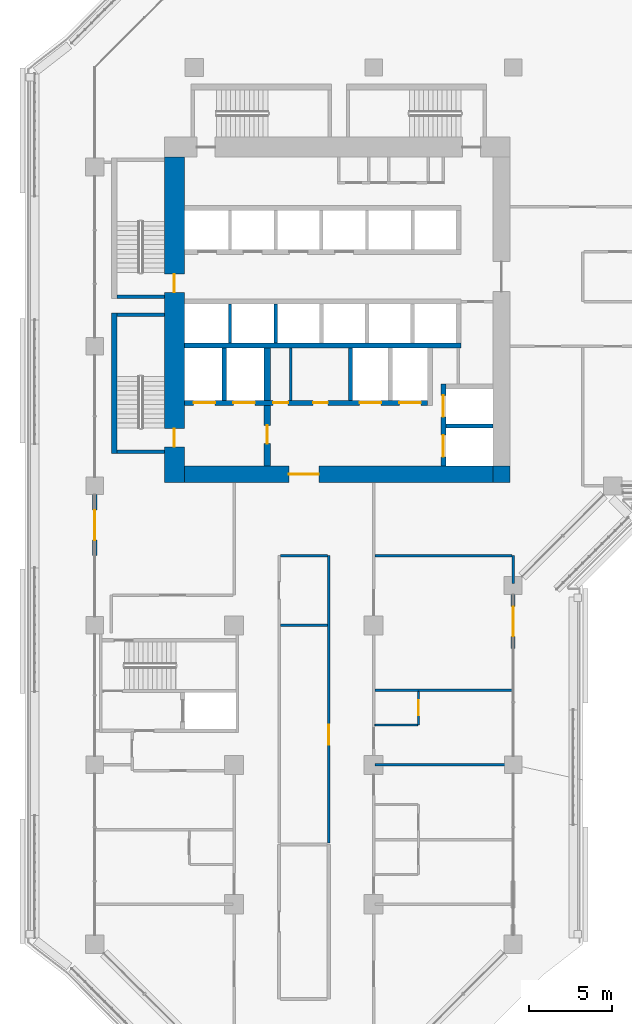
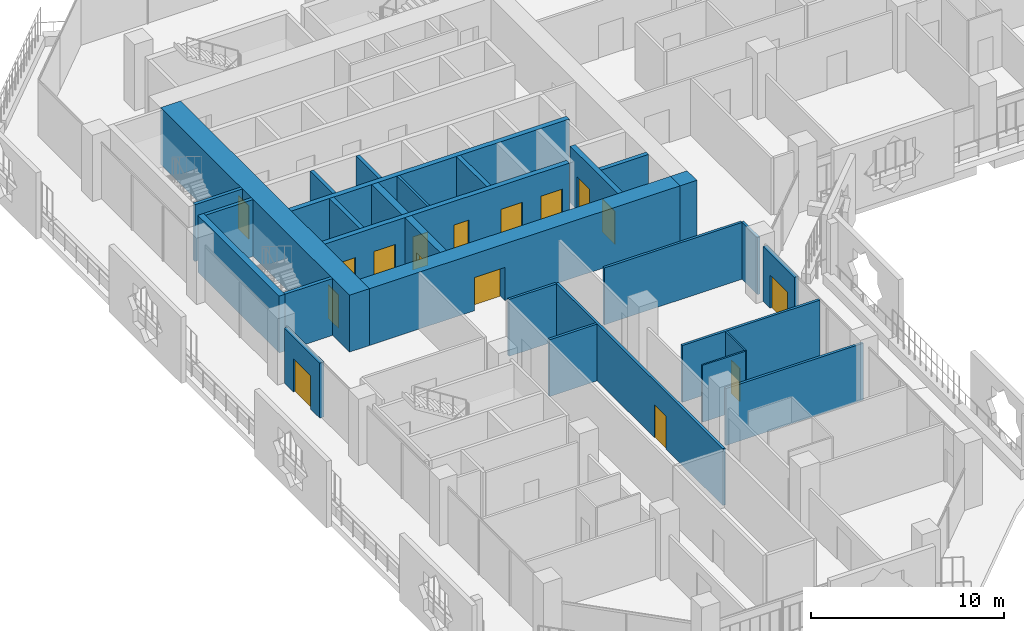
# One storey, part 13 of 25: 29 walls, 16 doors, 16 openings.
"""IFC4 building model written with IfcOpenShell, lengths in metres."""

from ifc_helpers import new_model, si_unit, direction, frame, frame_2d, origin, place, context, subcontext, project, spatial, rectangle, extrude, material, layer, layer_set, type_object, element, fill, save


model = new_model("IFC4")

# Units and contexts
model_context = context("Model", 3, precision=1e-05, world=origin(), true_north=direction((0.0, 1.0)))
body_context = subcontext(model_context, "Body", "Model", "MODEL_VIEW")
ifc_project = project(units=[si_unit("LENGTHUNIT", "METRE"), si_unit("AREAUNIT", "SQUARE_METRE"), si_unit("VOLUMEUNIT", "CUBIC_METRE"), si_unit("PLANEANGLEUNIT", "RADIAN"), si_unit("MASSUNIT", "GRAM", prefix="KILO")], contexts=[model_context])

# Site, building, storey
site_placement = place(None, origin())
site = spatial("IfcSite", under=ifc_project, at=site_placement, CompositionType="ELEMENT")
building_placement = place(site_placement, origin())
building = spatial("IfcBuilding", under=site, at=building_placement, Name="Kawkab Arch Medical Tower", CompositionType="ELEMENT")
storey_placement = place(building_placement, frame((0.0, 0.0, 128.199951171875)))
storey = spatial("IfcBuildingStorey", under=building, at=storey_placement, Name="L29", CompositionType="ELEMENT", Elevation=128.199951171875)

# Wall, opening, door
ifc_material_1 = material(Name="Concrete C60/75", Category="concrete")
ifc_layer_1 = layer(ifc_material_1, 1.0)
ifc_layer_set_1 = layer_set([ifc_layer_1], Name="Concrete C60/75")
wall_type_1 = type_object("IfcWallType", Name="Core ring wall 1000 C60/75", PredefinedType="SHEAR", material=ifc_layer_set_1)
wall_1_placement = place(storey_placement, frame((5.39990234375, -24.5, 0.0), z_axis=(0.0, 0.0, 1.0), x_axis=(1.0, 0.0, 0.0)))
wall_1 = element("IfcWall", 1, at=wall_1_placement, inside=storey, type_object=wall_type_1, Name="L29 core wall", PredefinedType="SHEAR", context=body_context, shape_type="SweptSolid", body=[
    extrude(rectangle(XDim=18.60009765625, YDim=1.0, at=frame_2d((9.300048828125, 0.0))), origin(), (0.0, 0.0, 1.0), 3.60009765625),
])
opening_1_placement = place(wall_1_placement, frame((6.300048828125, 0.0, 0.0)))
opening_1 = element("IfcOpeningElement", 2, at=opening_1_placement, cuts=wall_1, Name="Opening PD", PredefinedType="OPENING", context=body_context, shape_type="SweptSolid", body=[
    extrude(rectangle(XDim=1.800048828125, YDim=2.10009765625, at=frame_2d((0.89990234375, 1.050048828125))), frame((0.0, 0.510009765625, 0.0), z_axis=(0.0, -1.0, 0.0), x_axis=(1.0, 0.0, 0.0)), (0.0, 0.0, 1.0), 1.02001953125),
])
ifc_material_2 = material(Name="Hollow metal fire door leaf")
door_type_1 = type_object("IfcDoorType", Name="Core entrance doors 1800", OperationType="DOUBLE_DOOR_SINGLE_SWING", PredefinedType="DOOR", material=ifc_material_2)
door_1_placement = place(opening_1_placement, origin())
door_1 = element("IfcDoor", 3, at=door_1_placement, inside=storey, type_object=door_type_1, Name="L29 South entrance doors", OperationType="DOUBLE_DOOR_SINGLE_SWING", OverallHeight=2.10009765625, OverallWidth=1.800048828125, PredefinedType="DOOR", context=body_context, shape_type="SweptSolid", body=[
    extrude(rectangle(XDim=1.800048828125, YDim=2.10009765625, at=frame_2d((0.89990234375, 1.050048828125))), frame((0.0, 0.02490234375, 0.0), z_axis=(0.0, -1.0, 0.0), x_axis=(1.0, 0.0, 0.0)), (0.0, 0.0, 1.0), 0.050048828125),
])
fill(opening_1, door_1)

# Wall
wall_2_placement = place(storey_placement, frame((24.5, -25.0, 0.0), z_axis=(0.0, 0.0, 1.0), x_axis=(0.0, 1.0, 0.0)))
element("IfcWall", 4, at=wall_2_placement, inside=storey, type_object=wall_type_1, Name="L29 core wall", PredefinedType="SHEAR", context=body_context, shape_type="SweptSolid", body=[
    extrude(rectangle(XDim=1.0, YDim=1.0, at=frame_2d((0.5, 0.0))), origin(), (0.0, 0.0, 1.0), 3.60009765625),
])

# Wall, openings, doors
ifc_material_3 = material(Name="Concrete C60/75", Category="concrete")
ifc_layer_2 = layer(ifc_material_3, 1.199951171875)
ifc_layer_set_2 = layer_set([ifc_layer_2], Name="Concrete C60/75")
wall_type_2 = type_object("IfcWallType", Name="Core ring wall 1200 C60/75", PredefinedType="SHEAR", material=ifc_layer_set_2)
wall_3_placement = place(storey_placement, frame((4.800048828125, -25.0, 0.0), z_axis=(0.0, 0.0, 1.0), x_axis=(0.0, 1.0, 0.0)))
wall_3 = element("IfcWall", 5, at=wall_3_placement, inside=storey, type_object=wall_type_2, Name="L29 core wall", PredefinedType="SHEAR", context=body_context, shape_type="SweptSolid", body=[
    extrude(rectangle(XDim=19.60009765625, YDim=1.199951171875, at=frame_2d((9.800048828125, 0.0))), origin(), (0.0, 0.0, 1.0), 3.60009765625),
])
opening_2_placement = place(wall_3_placement, frame((11.449951171875, 0.0, 0.0)))
opening_2 = element("IfcOpeningElement", 6, at=opening_2_placement, cuts=wall_3, Name="Opening SD", PredefinedType="OPENING", context=body_context, shape_type="SweptSolid", body=[
    extrude(rectangle(XDim=1.10009765625, YDim=2.10009765625, at=frame_2d((0.550048828125, 1.050048828125))), frame((0.0, 0.60986328125, 0.0), z_axis=(0.0, -1.0, 0.0), x_axis=(1.0, 0.0, 0.0)), (0.0, 0.0, 1.0), 1.219970703125),
])
opening_3_placement = place(wall_3_placement, frame((2.14990234375, 0.0, 0.0)))
opening_3 = element("IfcOpeningElement", 7, at=opening_3_placement, cuts=wall_3, Name="Opening SD", PredefinedType="OPENING", context=body_context, shape_type="SweptSolid", body=[
    extrude(rectangle(XDim=1.10009765625, YDim=2.10009765625, at=frame_2d((0.550048828125, 1.050048828125))), frame((0.0, 0.60986328125, 0.0), z_axis=(0.0, -1.0, 0.0), x_axis=(1.0, 0.0, 0.0)), (0.0, 0.0, 1.0), 1.219970703125),
])
ifc_material_4 = material(Name="Hollow metal fire door leaf")
door_type_2 = type_object("IfcDoorType", Name="Exit stair door 1100", OperationType="SINGLE_SWING_LEFT", PredefinedType="DOOR", material=ifc_material_4)
door_2_placement = place(opening_2_placement, origin())
door_2 = element("IfcDoor", 8, at=door_2_placement, inside=storey, type_object=door_type_2, Name="L29 Exit stair ST1 door", OperationType="SINGLE_SWING_LEFT", OverallHeight=2.10009765625, OverallWidth=1.10009765625, PredefinedType="DOOR", context=body_context, shape_type="SweptSolid", body=[
    extrude(rectangle(XDim=1.10009765625, YDim=2.10009765625, at=frame_2d((0.550048828125, 1.050048828125))), frame((0.0, 0.02490234375, 0.0), z_axis=(0.0, -1.0, 0.0), x_axis=(1.0, 0.0, 0.0)), (0.0, 0.0, 1.0), 0.050048828125),
])
fill(opening_2, door_2)
door_3_placement = place(opening_3_placement, origin())
door_3 = element("IfcDoor", 9, at=door_3_placement, inside=storey, type_object=door_type_2, Name="L29 Exit stair ST2 door", OperationType="SINGLE_SWING_LEFT", OverallHeight=2.10009765625, OverallWidth=1.10009765625, PredefinedType="DOOR", context=body_context, shape_type="SweptSolid", body=[
    extrude(rectangle(XDim=1.10009765625, YDim=2.10009765625, at=frame_2d((0.550048828125, 1.050048828125))), frame((0.0, 0.02490234375, 0.0), z_axis=(0.0, -1.0, 0.0), x_axis=(1.0, 0.0, 0.0)), (0.0, 0.0, 1.0), 0.050048828125),
])
fill(opening_3, door_3)

# Walls
ifc_material_5 = material(Name="Gypsum board on steel studs", Category="steel")
ifc_layer_3 = layer(ifc_material_5, 0.14990234375)
ifc_layer_set_3 = layer_set([ifc_layer_3], Name="Gypsum board on steel studs")
wall_type_3 = type_object("IfcWallType", Name="Core room partition 150", PredefinedType="PARTITIONING", material=ifc_layer_set_3)
wall_4_placement = place(storey_placement, frame((11.800048828125, -20.050048828125, 0.0), z_axis=(0.0, 0.0, 1.0), x_axis=(0.0, 1.0, 0.0)))
element("IfcWall", 10, at=wall_4_placement, inside=storey, type_object=wall_type_3, Name="L29 core room partition", PredefinedType="PARTITIONING", context=body_context, shape_type="SweptSolid", body=[
    extrude(rectangle(XDim=3.150146484375, YDim=0.14990234375, at=frame_2d((1.5751953125, 0.0))), origin(), (0.0, 0.0, 1.0), 3.60009765625),
])
ifc_material_6 = material(Name="Concrete C60/75", Category="concrete")
ifc_layer_4 = layer(ifc_material_6, 0.25)
ifc_layer_set_4 = layer_set([ifc_layer_4], Name="Concrete C60/75")
wall_type_4 = type_object("IfcWallType", Name="Core shear wall 250 C60/75", PredefinedType="SHEAR", material=ifc_layer_set_4)
wall_5_placement = place(storey_placement, frame((21.14990234375, -21.60009765625, 0.0), z_axis=(0.0, 0.0, 1.0), x_axis=(1.0, 0.0, 0.0)))
element("IfcWall", 11, at=wall_5_placement, inside=storey, type_object=wall_type_4, Name="L29 core shear wall", PredefinedType="SHEAR", context=body_context, shape_type="SweptSolid", body=[
    extrude(rectangle(XDim=2.85009765625, YDim=0.25, at=frame_2d((1.425048828125, 0.0))), origin(), (0.0, 0.0, 1.0), 3.60009765625),
])
for number, where, z_axis, x_axis, name in (
    (12, (7.800048828125, -20.050048828125, 0.0), (0.0, 0.0, 1.0), (0.0, 1.0, 0.0), "L29 core shear wall"),
    (13, (15.39990234375, -20.050048828125, 0.0), (0.0, 0.0, 1.0), (0.0, 1.0, 0.0), "L29 core shear wall"),
):
    element("IfcWall", number, at=place(storey_placement, frame(where, z_axis=z_axis, x_axis=x_axis)), inside=storey, type_object=wall_type_4, Name=name, PredefinedType="SHEAR", context=body_context, shape_type="SweptSolid", body=[
        extrude(rectangle(XDim=3.150146484375, YDim=0.25, at=frame_2d((1.5751953125, 0.0))), origin(), (0.0, 0.0, 1.0), 3.60009765625),
    ])
ifc_material_7 = material(Name="Concrete C60/75", Category="concrete")
ifc_layer_5 = layer(ifc_material_7, 0.300048828125)
ifc_layer_set_5 = layer_set([ifc_layer_5], Name="Concrete C60/75")
wall_type_5 = type_object("IfcWallType", Name="Core shear wall 300 C60/75", PredefinedType="SHEAR", material=ifc_layer_set_5)
wall_6_placement = place(storey_placement, frame((5.39990234375, -16.75, 0.0), z_axis=(0.0, 0.0, 1.0), x_axis=(1.0, 0.0, 0.0)))
element("IfcWall", 14, at=wall_6_placement, inside=storey, type_object=wall_type_5, Name="L29 core shear wall", PredefinedType="SHEAR", context=body_context, shape_type="SweptSolid", body=[
    extrude(rectangle(XDim=16.650146484375, YDim=0.300048828125, at=frame_2d((8.3251953125, 0.0))), origin(), (0.0, 0.0, 1.0), 3.60009765625),
])

# Wall, openings, doors
wall_7_placement = place(storey_placement, frame((5.39990234375, -20.199951171875, 0.0), z_axis=(0.0, 0.0, 1.0), x_axis=(1.0, 0.0, 0.0)))
wall_7 = element("IfcWall", 15, at=wall_7_placement, inside=storey, type_object=wall_type_5, Name="L29 core shear wall", PredefinedType="SHEAR", context=body_context, shape_type="SweptSolid", body=[
    extrude(rectangle(XDim=14.650146484375, YDim=0.300048828125, at=frame_2d((7.3251953125, 0.0))), origin(), (0.0, 0.0, 1.0), 3.60009765625),
])
opening_4_placement = place(wall_7_placement, frame((10.550048828125, 0.0, 0.0)))
opening_4 = element("IfcOpeningElement", 16, at=opening_4_placement, cuts=wall_7, Name="Opening LD2", PredefinedType="OPENING", context=body_context, shape_type="SweptSolid", body=[
    extrude(rectangle(XDim=1.300048828125, YDim=2.10009765625, at=frame_2d((0.64990234375, 1.050048828125))), frame((0.0, 0.159912109375, 0.0), z_axis=(0.0, -1.0, 0.0), x_axis=(1.0, 0.0, 0.0)), (0.0, 0.0, 1.0), 0.320068359375),
])
opening_5_placement = place(wall_7_placement, frame((12.949951171875, 0.0, 0.0)))
opening_5 = element("IfcOpeningElement", 17, at=opening_5_placement, cuts=wall_7, Name="Opening LD2", PredefinedType="OPENING", context=body_context, shape_type="SweptSolid", body=[
    extrude(rectangle(XDim=1.300048828125, YDim=2.10009765625, at=frame_2d((0.64990234375, 1.050048828125))), frame((0.0, 0.159912109375, 0.0), z_axis=(0.0, -1.0, 0.0), x_axis=(1.0, 0.0, 0.0)), (0.0, 0.0, 1.0), 0.320068359375),
])
opening_6_placement = place(wall_7_placement, frame((0.550048828125, 0.0, 0.0)))
opening_6 = element("IfcOpeningElement", 18, at=opening_6_placement, cuts=wall_7, Name="Opening LD2", PredefinedType="OPENING", context=body_context, shape_type="SweptSolid", body=[
    extrude(rectangle(XDim=1.300048828125, YDim=2.10009765625, at=frame_2d((0.64990234375, 1.050048828125))), frame((0.0, 0.159912109375, 0.0), z_axis=(0.0, -1.0, 0.0), x_axis=(1.0, 0.0, 0.0)), (0.0, 0.0, 1.0), 0.320068359375),
])
opening_7_placement = place(wall_7_placement, frame((2.949951171875, 0.0, 0.0)))
opening_7 = element("IfcOpeningElement", 19, at=opening_7_placement, cuts=wall_7, Name="Opening LD2", PredefinedType="OPENING", context=body_context, shape_type="SweptSolid", body=[
    extrude(rectangle(XDim=1.300048828125, YDim=2.10009765625, at=frame_2d((0.64990234375, 1.050048828125))), frame((0.0, 0.159912109375, 0.0), z_axis=(0.0, -1.0, 0.0), x_axis=(1.0, 0.0, 0.0)), (0.0, 0.0, 1.0), 0.320068359375),
])
opening_8_placement = place(wall_7_placement, frame((5.35009765625, 0.0, 0.0)))
opening_8 = element("IfcOpeningElement", 20, at=opening_8_placement, cuts=wall_7, Name="Opening RD", PredefinedType="OPENING", context=body_context, shape_type="SweptSolid", body=[
    extrude(rectangle(XDim=0.89990234375, YDim=2.10009765625, at=frame_2d((0.449951171875, 1.050048828125))), frame((0.0, 0.159912109375, 0.0), z_axis=(0.0, -1.0, 0.0), x_axis=(1.0, 0.0, 0.0)), (0.0, 0.0, 1.0), 0.320068359375),
])
opening_9_placement = place(wall_7_placement, frame((7.75, 0.0, 0.0)))
opening_9 = element("IfcOpeningElement", 21, at=opening_9_placement, cuts=wall_7, Name="Opening RD", PredefinedType="OPENING", context=body_context, shape_type="SweptSolid", body=[
    extrude(rectangle(XDim=0.89990234375, YDim=2.10009765625, at=frame_2d((0.449951171875, 1.050048828125))), frame((0.0, 0.159912109375, 0.0), z_axis=(0.0, -1.0, 0.0), x_axis=(1.0, 0.0, 0.0)), (0.0, 0.0, 1.0), 0.320068359375),
])
ifc_material_8 = material(Name="Hollow metal fire door leaf")
door_type_3 = type_object("IfcDoorType", Name="Core room door 900", OperationType="SINGLE_SWING_LEFT", PredefinedType="DOOR", material=ifc_material_8)
door_4_placement = place(opening_8_placement, origin())
door_4 = element("IfcDoor", 22, at=door_4_placement, inside=storey, type_object=door_type_3, Name="L29 Linen store door", OperationType="SINGLE_SWING_LEFT", OverallHeight=2.10009765625, OverallWidth=0.89990234375, PredefinedType="DOOR", context=body_context, shape_type="SweptSolid", body=[
    extrude(rectangle(XDim=0.89990234375, YDim=2.10009765625, at=frame_2d((0.449951171875, 1.050048828125))), frame((0.0, 0.02490234375, 0.0), z_axis=(0.0, -1.0, 0.0), x_axis=(1.0, 0.0, 0.0)), (0.0, 0.0, 1.0), 0.050048828125),
])
fill(opening_8, door_4)
door_5_placement = place(opening_9_placement, origin())
door_5 = element("IfcDoor", 23, at=door_5_placement, inside=storey, type_object=door_type_3, Name="L29 Dirty utility room door", OperationType="SINGLE_SWING_LEFT", OverallHeight=2.10009765625, OverallWidth=0.89990234375, PredefinedType="DOOR", context=body_context, shape_type="SweptSolid", body=[
    extrude(rectangle(XDim=0.89990234375, YDim=2.10009765625, at=frame_2d((0.449951171875, 1.050048828125))), frame((0.0, 0.02490234375, 0.0), z_axis=(0.0, -1.0, 0.0), x_axis=(1.0, 0.0, 0.0)), (0.0, 0.0, 1.0), 0.050048828125),
])
fill(opening_9, door_5)
ifc_material_9 = material(Name="Stainless steel lift door leaf", Category="steel")
door_type_4 = type_object("IfcDoorType", Name="Lift landing door 1300", OperationType="DOUBLE_DOOR_SLIDING", PredefinedType="DOOR", material=ifc_material_9)
door_6_placement = place(opening_4_placement, origin())
door_6 = element("IfcDoor", 24, at=door_6_placement, inside=storey, type_object=door_type_4, Name="L29 Lift landing door BD3", OperationType="DOUBLE_DOOR_SLIDING", OverallHeight=2.10009765625, OverallWidth=1.300048828125, PredefinedType="DOOR", context=body_context, shape_type="SweptSolid", body=[
    extrude(rectangle(XDim=1.300048828125, YDim=2.10009765625, at=frame_2d((0.64990234375, 1.050048828125))), frame((0.0, 0.02490234375, 0.0), z_axis=(0.0, -1.0, 0.0), x_axis=(1.0, 0.0, 0.0)), (0.0, 0.0, 1.0), 0.050048828125),
])
fill(opening_4, door_6)
door_7_placement = place(opening_5_placement, origin())
door_7 = element("IfcDoor", 25, at=door_7_placement, inside=storey, type_object=door_type_4, Name="L29 Lift landing door BD4", OperationType="DOUBLE_DOOR_SLIDING", OverallHeight=2.10009765625, OverallWidth=1.300048828125, PredefinedType="DOOR", context=body_context, shape_type="SweptSolid", body=[
    extrude(rectangle(XDim=1.300048828125, YDim=2.10009765625, at=frame_2d((0.64990234375, 1.050048828125))), frame((0.0, 0.02490234375, 0.0), z_axis=(0.0, -1.0, 0.0), x_axis=(1.0, 0.0, 0.0)), (0.0, 0.0, 1.0), 0.050048828125),
])
fill(opening_5, door_7)
door_8_placement = place(opening_6_placement, origin())
door_8 = element("IfcDoor", 26, at=door_8_placement, inside=storey, type_object=door_type_4, Name="L29 Lift landing door FL1", OperationType="DOUBLE_DOOR_SLIDING", OverallHeight=2.10009765625, OverallWidth=1.300048828125, PredefinedType="DOOR", context=body_context, shape_type="SweptSolid", body=[
    extrude(rectangle(XDim=1.300048828125, YDim=2.10009765625, at=frame_2d((0.64990234375, 1.050048828125))), frame((0.0, 0.02490234375, 0.0), z_axis=(0.0, -1.0, 0.0), x_axis=(1.0, 0.0, 0.0)), (0.0, 0.0, 1.0), 0.050048828125),
])
fill(opening_6, door_8)
door_9_placement = place(opening_7_placement, origin())
door_9 = element("IfcDoor", 27, at=door_9_placement, inside=storey, type_object=door_type_4, Name="L29 Lift landing door FL2", OperationType="DOUBLE_DOOR_SLIDING", OverallHeight=2.10009765625, OverallWidth=1.300048828125, PredefinedType="DOOR", context=body_context, shape_type="SweptSolid", body=[
    extrude(rectangle(XDim=1.300048828125, YDim=2.10009765625, at=frame_2d((0.64990234375, 1.050048828125))), frame((0.0, 0.02490234375, 0.0), z_axis=(0.0, -1.0, 0.0), x_axis=(1.0, 0.0, 0.0)), (0.0, 0.0, 1.0), 0.050048828125),
])
fill(opening_7, door_9)

wall_8_placement = place(storey_placement, frame((21.0, -24.0, 0.0), z_axis=(0.0, 0.0, 1.0), x_axis=(0.0, 1.0, 0.0)))
wall_8 = element("IfcWall", 28, at=wall_8_placement, inside=storey, type_object=wall_type_5, Name="L29 core shear wall", PredefinedType="SHEAR", context=body_context, shape_type="SweptSolid", body=[
    extrude(rectangle(XDim=4.949951171875, YDim=0.300048828125, at=frame_2d((2.47509765625, 0.0))), origin(), (0.0, 0.0, 1.0), 3.60009765625),
])
opening_10_placement = place(wall_8_placement, frame((2.949951171875, 0.0, 0.0)))
opening_10 = element("IfcOpeningElement", 29, at=opening_10_placement, cuts=wall_8, Name="Opening LD2", PredefinedType="OPENING", context=body_context, shape_type="SweptSolid", body=[
    extrude(rectangle(XDim=1.300048828125, YDim=2.10009765625, at=frame_2d((0.64990234375, 1.050048828125))), frame((0.0, 0.159912109375, 0.0), z_axis=(0.0, -1.0, 0.0), x_axis=(1.0, 0.0, 0.0)), (0.0, 0.0, 1.0), 0.320068359375),
])
opening_11_placement = place(wall_8_placement, frame((0.550048828125, 0.0, 0.0)))
opening_11 = element("IfcOpeningElement", 30, at=opening_11_placement, cuts=wall_8, Name="Opening LD2", PredefinedType="OPENING", context=body_context, shape_type="SweptSolid", body=[
    extrude(rectangle(XDim=1.300048828125, YDim=2.10009765625, at=frame_2d((0.64990234375, 1.050048828125))), frame((0.0, 0.159912109375, 0.0), z_axis=(0.0, -1.0, 0.0), x_axis=(1.0, 0.0, 0.0)), (0.0, 0.0, 1.0), 0.320068359375),
])
door_10_placement = place(opening_10_placement, origin())
door_10 = element("IfcDoor", 31, at=door_10_placement, inside=storey, type_object=door_type_4, Name="L29 Lift landing door BD1", OperationType="DOUBLE_DOOR_SLIDING", OverallHeight=2.10009765625, OverallWidth=1.300048828125, PredefinedType="DOOR", context=body_context, shape_type="SweptSolid", body=[
    extrude(rectangle(XDim=1.300048828125, YDim=2.10009765625, at=frame_2d((0.64990234375, 1.050048828125))), frame((0.0, 0.02490234375, 0.0), z_axis=(0.0, -1.0, 0.0), x_axis=(1.0, 0.0, 0.0)), (0.0, 0.0, 1.0), 0.050048828125),
])
fill(opening_10, door_10)
door_11_placement = place(opening_11_placement, origin())
door_11 = element("IfcDoor", 32, at=door_11_placement, inside=storey, type_object=door_type_4, Name="L29 Lift landing door BD2", OperationType="DOUBLE_DOOR_SLIDING", OverallHeight=2.10009765625, OverallWidth=1.300048828125, PredefinedType="DOOR", context=body_context, shape_type="SweptSolid", body=[
    extrude(rectangle(XDim=1.300048828125, YDim=2.10009765625, at=frame_2d((0.64990234375, 1.050048828125))), frame((0.0, 0.02490234375, 0.0), z_axis=(0.0, -1.0, 0.0), x_axis=(1.0, 0.0, 0.0)), (0.0, 0.0, 1.0), 0.050048828125),
])
fill(opening_11, door_11)

# Wall, opening, door
ifc_material_10 = material(Name="Concrete C60/75", Category="concrete")
ifc_layer_6 = layer(ifc_material_10, 0.39990234375)
ifc_layer_set_6 = layer_set([ifc_layer_6], Name="Concrete C60/75")
wall_type_6 = type_object("IfcWallType", Name="Core shear wall 400 C60/75", PredefinedType="SHEAR", material=ifc_layer_set_6)
wall_9_placement = place(storey_placement, frame((10.39990234375, -24.0, 0.0), z_axis=(0.0, 0.0, 1.0), x_axis=(0.0, 1.0, 0.0)))
wall_9 = element("IfcWall", 33, at=wall_9_placement, inside=storey, type_object=wall_type_6, Name="L29 core shear wall", PredefinedType="SHEAR", context=body_context, shape_type="SweptSolid", body=[
    extrude(rectangle(XDim=3.64990234375, YDim=0.39990234375, at=frame_2d((1.824951171875, 0.0))), origin(), (0.0, 0.0, 1.0), 3.60009765625),
])
opening_12_placement = place(wall_9_placement, frame((1.35009765625, 0.0, 0.0)))
opening_12 = element("IfcOpeningElement", 34, at=opening_12_placement, cuts=wall_9, Name="Opening FD", PredefinedType="OPENING", context=body_context, shape_type="SweptSolid", body=[
    extrude(rectangle(XDim=1.10009765625, YDim=2.10009765625, at=frame_2d((0.550048828125, 1.050048828125))), frame((0.0, 0.2099609375, 0.0), z_axis=(0.0, -1.0, 0.0), x_axis=(1.0, 0.0, 0.0)), (0.0, 0.0, 1.0), 0.419921875),
])
ifc_material_11 = material(Name="Hollow metal fire door leaf")
door_type_5 = type_object("IfcDoorType", Name="Firefighting lobby door 1100", OperationType="SINGLE_SWING_LEFT", PredefinedType="DOOR", material=ifc_material_11)
door_12_placement = place(opening_12_placement, origin())
door_12 = element("IfcDoor", 35, at=door_12_placement, inside=storey, type_object=door_type_5, Name="L29 Firefighting lobby door", OperationType="SINGLE_SWING_LEFT", OverallHeight=2.10009765625, OverallWidth=1.10009765625, PredefinedType="DOOR", context=body_context, shape_type="SweptSolid", body=[
    extrude(rectangle(XDim=1.10009765625, YDim=2.10009765625, at=frame_2d((0.550048828125, 1.050048828125))), frame((0.0, 0.02490234375, 0.0), z_axis=(0.0, -1.0, 0.0), x_axis=(1.0, 0.0, 0.0)), (0.0, 0.0, 1.0), 0.050048828125),
])
fill(opening_12, door_12)

# Wall
wall_10_placement = place(storey_placement, frame((10.39990234375, -20.050048828125, 0.0), z_axis=(0.0, 0.0, 1.0), x_axis=(0.0, 1.0, 0.0)))
element("IfcWall", 36, at=wall_10_placement, inside=storey, type_object=wall_type_6, Name="L29 core shear wall", PredefinedType="SHEAR", context=body_context, shape_type="SweptSolid", body=[
    extrude(rectangle(XDim=3.150146484375, YDim=0.39990234375, at=frame_2d((1.5751953125, 0.0))), origin(), (0.0, 0.0, 1.0), 3.60009765625),
])

# Wall, opening, door
ifc_material_12 = material(Name="Bronze clad insulated wall panel")
ifc_layer_7 = layer(ifc_material_12, 0.25)
ifc_layer_set_7 = layer_set([ifc_layer_7], Name="Bronze clad insulated wall panel")
wall_type_7 = type_object("IfcWallType", Name="External wall bay 250", PredefinedType="SOLIDWALL", material=ifc_layer_set_7)
wall_11_placement = place(storey_placement, frame((0.0, -25.72509765625, 0.0), z_axis=(0.0, 0.0, 1.0), x_axis=(0.0, -1.0, 0.0)))
wall_11 = element("IfcWall", 37, at=wall_11_placement, inside=storey, type_object=wall_type_7, Name="External wall bay L29.R01.4.1", PredefinedType="SOLIDWALL", context=body_context, shape_type="SweptSolid", body=[
    extrude(rectangle(XDim=3.6748046875, YDim=0.25, at=frame_2d((1.83740234375, 0.0))), origin(), (0.0, 0.0, 1.0), 3.47998046875),
])
opening_13_placement = place(wall_11_placement, frame((0.9375, 0.0, 0.0)))
opening_13 = element("IfcOpeningElement", 38, at=opening_13_placement, cuts=wall_11, Name="Opening W29-701", PredefinedType="OPENING", context=body_context, shape_type="SweptSolid", body=[
    extrude(rectangle(XDim=1.800048828125, YDim=2.10009765625, at=frame_2d((0.89990234375, 1.050048828125))), frame((0.0, 0.135009765625, 0.0), z_axis=(0.0, -1.0, 0.0), x_axis=(1.0, 0.0, 0.0)), (0.0, 0.0, 1.0), 0.27001953125),
])
ifc_material_13 = material(Name="Bronze anodised aluminium door with tinted glass", Category="aluminium")
door_type_6 = type_object("IfcDoorType", Name="Double external door 1800 x 2100", OperationType="DOUBLE_DOOR_SINGLE_SWING", PredefinedType="DOOR", material=ifc_material_13)
door_13_placement = place(opening_13_placement, origin())
door_13 = element("IfcDoor", 39, at=door_13_placement, inside=storey, type_object=door_type_6, Name="External door L29.R01.4.1", OperationType="DOUBLE_DOOR_SINGLE_SWING", OverallHeight=2.10009765625, OverallWidth=1.800048828125, PredefinedType="DOOR", context=body_context, shape_type="SweptSolid", body=[
    extrude(rectangle(XDim=1.800048828125, YDim=2.10009765625, at=frame_2d((0.89990234375, 1.050048828125))), frame((0.0, 0.02490234375, 0.0), z_axis=(0.0, -1.0, 0.0), x_axis=(1.0, 0.0, 0.0)), (0.0, 0.0, 1.0), 0.050048828125),
])
fill(opening_13, door_13)

wall_12_placement = place(storey_placement, frame((25.199951171875, -34.99169921875, 0.0), z_axis=(0.0, 0.0, 1.0), x_axis=(0.0, 1.0, 0.0)))
wall_12 = element("IfcWall", 40, at=wall_12_placement, inside=storey, type_object=wall_type_7, Name="External wall bay L29.R05.2.3", PredefinedType="SOLIDWALL", context=body_context, shape_type="SweptSolid", body=[
    extrude(rectangle(XDim=3.24169921875, YDim=0.25, at=frame_2d((1.620849609375, 0.0))), origin(), (0.0, 0.0, 1.0), 3.47998046875),
])
opening_14_placement = place(wall_12_placement, frame((0.720703125, 0.0, 0.0)))
opening_14 = element("IfcOpeningElement", 41, at=opening_14_placement, cuts=wall_12, Name="Opening W29-701", PredefinedType="OPENING", context=body_context, shape_type="SweptSolid", body=[
    extrude(rectangle(XDim=1.800048828125, YDim=2.10009765625, at=frame_2d((0.89990234375, 1.050048828125))), frame((0.0, 0.135009765625, 0.0), z_axis=(0.0, -1.0, 0.0), x_axis=(1.0, 0.0, 0.0)), (0.0, 0.0, 1.0), 0.27001953125),
])
door_14_placement = place(opening_14_placement, origin())
door_14 = element("IfcDoor", 42, at=door_14_placement, inside=storey, type_object=door_type_6, Name="External door L29.R05.2.3", OperationType="DOUBLE_DOOR_SINGLE_SWING", OverallHeight=2.10009765625, OverallWidth=1.800048828125, PredefinedType="DOOR", context=body_context, shape_type="SweptSolid", body=[
    extrude(rectangle(XDim=1.800048828125, YDim=2.10009765625, at=frame_2d((0.89990234375, 1.050048828125))), frame((0.0, 0.02490234375, 0.0), z_axis=(0.0, -1.0, 0.0), x_axis=(1.0, 0.0, 0.0)), (0.0, 0.0, 1.0), 0.050048828125),
])
fill(opening_14, door_14)

# Walls
ifc_material_14 = material(Name="Dense concrete blockwork", Category="masonry")
ifc_layer_8 = layer(ifc_material_14, 0.199951171875)
ifc_layer_set_8 = layer_set([ifc_layer_8], Name="Dense concrete blockwork")
wall_type_8 = type_object("IfcWallType", Name="Lift shaft partition 200", PredefinedType="PARTITIONING", material=ifc_layer_set_8)
for number, where, z_axis, x_axis, name in (
    (43, (8.14990234375, -16.60009765625, 0.0), (0.0, 0.0, 1.0), (0.0, 1.0, 0.0), "L29 lift shaft partition"),
    (44, (10.89990234375, -16.60009765625, 0.0), (0.0, 0.0, 1.0), (0.0, 1.0, 0.0), "L29 lift shaft partition"),
):
    element("IfcWall", number, at=place(storey_placement, frame(where, z_axis=z_axis, x_axis=x_axis)), inside=storey, type_object=wall_type_8, Name=name, PredefinedType="PARTITIONING", context=body_context, shape_type="SweptSolid", body=[
        extrude(rectangle(XDim=2.35009765625, YDim=0.199951171875, at=frame_2d((1.175048828125, 0.0))), origin(), (0.0, 0.0, 1.0), 3.60009765625),
    ])
ifc_material_15 = material(Name="Gypsum board partition on steel studs", Category="steel")
ifc_layer_9 = layer(ifc_material_15, 0.10009765625)
ifc_layer_set_9 = layer_set([ifc_layer_9], Name="Gypsum board partition on steel studs")
wall_type_9 = type_object("IfcWallType", Name="Partition 100", PredefinedType="PARTITIONING", material=ifc_layer_set_9)
wall_13_placement = place(storey_placement, frame((16.875, -39.60009765625, 0.0), z_axis=(0.0, 0.0, 1.0), x_axis=(1.0, 0.0, 0.0)))
element("IfcWall", 45, at=wall_13_placement, inside=storey, type_object=wall_type_9, Name="Partition 100 w004", PredefinedType="PARTITIONING", context=body_context, shape_type="SweptSolid", body=[
    extrude(rectangle(XDim=2.574951171875, YDim=0.10009765625, at=frame_2d((1.28759765625, 0.0))), origin(), (0.0, 0.0, 1.0), 3.60009765625),
])

# Wall, opening, door
wall_14_placement = place(storey_placement, frame((19.5, -39.60009765625, 0.0), z_axis=(0.0, 0.0, 1.0), x_axis=(0.0, 1.0, 0.0)))
wall_14 = element("IfcWall", 46, at=wall_14_placement, inside=storey, type_object=wall_type_9, Name="Partition 100 w013", PredefinedType="PARTITIONING", context=body_context, shape_type="SweptSolid", body=[
    extrude(rectangle(XDim=2.025146484375, YDim=0.10009765625, at=frame_2d((1.0126953125, 0.0))), origin(), (0.0, 0.0, 1.0), 3.60009765625),
])
opening_15_placement = place(wall_14_placement, frame((0.60009765625, 0.0, 0.0)))
opening_15 = element("IfcOpeningElement", 47, at=opening_15_placement, cuts=wall_14, Name="Opening W29-020", PredefinedType="OPENING", context=body_context, shape_type="SweptSolid", body=[
    extrude(rectangle(XDim=0.89990234375, YDim=2.10009765625, at=frame_2d((0.449951171875, 1.050048828125))), frame((0.0, 0.06005859375, 0.0), z_axis=(0.0, -1.0, 0.0), x_axis=(1.0, 0.0, 0.0)), (0.0, 0.0, 1.0), 0.1201171875),
])
ifc_material_16 = material(Name="Timber door leaf", Category="wood")
door_type_7 = type_object("IfcDoorType", Name="Single door 900x2100", OperationType="NOTDEFINED", PredefinedType="DOOR", material=ifc_material_16)
door_15_placement = place(opening_15_placement, origin())
door_15 = element("IfcDoor", 48, at=door_15_placement, inside=storey, type_object=door_type_7, Name="Door W29-020", OperationType="SINGLE_SWING_RIGHT", OverallHeight=2.10009765625, OverallWidth=0.89990234375, PredefinedType="DOOR", context=body_context, shape_type="SweptSolid", body=[
    extrude(rectangle(XDim=0.89990234375, YDim=2.10009765625, at=frame_2d((0.449951171875, 1.050048828125))), frame((0.0, 0.02490234375, 0.0), z_axis=(0.0, -1.0, 0.0), x_axis=(1.0, 0.0, 0.0)), (0.0, 0.0, 1.0), 0.050048828125),
])
fill(opening_15, door_15)

# Walls
ifc_material_17 = material(Name="Gypsum board partition on steel studs, mineral wool", Category="steel")
ifc_layer_10 = layer(ifc_material_17, 0.14990234375)
ifc_layer_set_10 = layer_set([ifc_layer_10], Name="Gypsum board partition on steel studs, mineral wool")
wall_type_10 = type_object("IfcWallType", Name="Partition 150", PredefinedType="PARTITIONING", material=ifc_layer_set_10)
for number, where, z_axis, x_axis, name in (
    (49, (16.875, -42.0, 0.0), (0.0, 0.0, 1.0), (1.0, 0.0, 0.0), "Partition 150 w028"),
    (50, (16.875, -37.5, 0.0), (0.0, 0.0, 1.0), (1.0, 0.0, 0.0), "Partition 150 w030"),
):
    element("IfcWall", number, at=place(storey_placement, frame(where, z_axis=z_axis, x_axis=x_axis)), inside=storey, type_object=wall_type_10, Name=name, PredefinedType="PARTITIONING", context=body_context, shape_type="SweptSolid", body=[
        extrude(rectangle(XDim=8.2451171875, YDim=0.14990234375, at=frame_2d((4.12255859375, 0.0))), origin(), (0.0, 0.0, 1.0), 3.60009765625),
    ])
for number, where, z_axis, x_axis, name in (
    (51, (11.175048828125, -33.60009765625, 0.0), (0.0, 0.0, 1.0), (1.0, 0.0, 0.0), "Partition 150 w031"),
    (52, (11.175048828125, -29.39990234375, 0.0), (0.0, 0.0, 1.0), (1.0, 0.0, 0.0), "Partition 150 w033"),
):
    element("IfcWall", number, at=place(storey_placement, frame(where, z_axis=z_axis, x_axis=x_axis)), inside=storey, type_object=wall_type_10, Name=name, PredefinedType="PARTITIONING", context=body_context, shape_type="SweptSolid", body=[
        extrude(rectangle(XDim=2.849853515625, YDim=0.14990234375, at=frame_2d((1.4248046875, 0.0))), origin(), (0.0, 0.0, 1.0), 3.60009765625),
    ])
wall_15_placement = place(storey_placement, frame((16.875, -29.39990234375, 0.0), z_axis=(0.0, 0.0, 1.0), x_axis=(1.0, 0.0, 0.0)))
element("IfcWall", 53, at=wall_15_placement, inside=storey, type_object=wall_type_10, Name="Partition 150 w034", PredefinedType="PARTITIONING", context=body_context, shape_type="SweptSolid", body=[
    extrude(rectangle(XDim=8.25, YDim=0.14990234375, at=frame_2d((4.125, 0.0))), origin(), (0.0, 0.0, 1.0), 3.60009765625),
])

# Wall, opening, door
wall_16_placement = place(storey_placement, frame((14.10009765625, -46.699951171875, 0.0), z_axis=(0.0, 0.0, 1.0), x_axis=(0.0, 1.0, 0.0)))
wall_16 = element("IfcWall", 54, at=wall_16_placement, inside=storey, type_object=wall_type_10, Name="Partition 150 w056", PredefinedType="PARTITIONING", context=body_context, shape_type="SweptSolid", body=[
    extrude(rectangle(XDim=17.300048828125, YDim=0.14990234375, at=frame_2d((8.64990234375, 0.0))), origin(), (0.0, 0.0, 1.0), 3.60009765625),
])
opening_16_placement = place(wall_16_placement, frame((5.89990234375, 0.0, 0.0)))
opening_16 = element("IfcOpeningElement", 55, at=opening_16_placement, cuts=wall_16, Name="Opening W29-045", PredefinedType="OPENING", context=body_context, shape_type="SweptSolid", body=[
    extrude(rectangle(XDim=1.199951171875, YDim=2.10009765625, at=frame_2d((0.60009765625, 1.050048828125))), frame((0.0, 0.0849609375, 0.0), z_axis=(0.0, -1.0, 0.0), x_axis=(1.0, 0.0, 0.0)), (0.0, 0.0, 1.0), 0.169921875),
])
ifc_material_18 = material(Name="Hollow metal door leaf")
door_type_8 = type_object("IfcDoorType", Name="Single door 1200x2100 FD30S", OperationType="NOTDEFINED", PredefinedType="DOOR", material=ifc_material_18)
door_16_placement = place(opening_16_placement, origin())
door_16 = element("IfcDoor", 56, at=door_16_placement, inside=storey, type_object=door_type_8, Name="Door W29-045", OperationType="SINGLE_SWING_LEFT", OverallHeight=2.10009765625, OverallWidth=1.199951171875, PredefinedType="DOOR", context=body_context, shape_type="SweptSolid", body=[
    extrude(rectangle(XDim=1.199951171875, YDim=2.10009765625, at=frame_2d((0.60009765625, 1.050048828125))), frame((0.0, 0.02490234375, 0.0), z_axis=(0.0, -1.0, 0.0), x_axis=(1.0, 0.0, 0.0)), (0.0, 0.0, 1.0), 0.050048828125),
])
fill(opening_16, door_16)

# Walls
wall_17_placement = place(storey_placement, frame((25.199951171875, -31.0869140625, 0.0), z_axis=(0.0, 0.0, 1.0), x_axis=(0.0, 1.0, 0.0)))
element("IfcWall", 57, at=wall_17_placement, inside=storey, type_object=wall_type_10, Name="Partition 150 w058", PredefinedType="PARTITIONING", context=body_context, shape_type="SweptSolid", body=[
    extrude(rectangle(XDim=1.68701171875, YDim=0.14990234375, at=frame_2d((0.843505859375, 0.0))), origin(), (0.0, 0.0, 1.0), 3.60009765625),
])
ifc_material_19 = material(Name="Concrete C50/60", Category="concrete")
ifc_layer_11 = layer(ifc_material_19, 0.199951171875)
ifc_layer_set_11 = layer_set([ifc_layer_11], Name="Concrete C50/60")
wall_type_11 = type_object("IfcWallType", Name="Stair enclosure wall 200 C50/60", PredefinedType="SHEAR", material=ifc_layer_set_11)
for number, where, z_axis, x_axis, name in (
    (58, (1.35009765625, -13.800048828125, 0.0), (0.0, 0.0, 1.0), (1.0, 0.0, 0.0), "L29 stair enclosure wall"),
    (59, (1.35009765625, -14.89990234375, 0.0), (0.0, 0.0, 1.0), (1.0, 0.0, 0.0), "L29 stair enclosure wall"),
    (60, (1.35009765625, -23.14990234375, 0.0), (0.0, 0.0, 1.0), (1.0, 0.0, 0.0), "L29 stair enclosure wall"),
):
    element("IfcWall", number, at=place(storey_placement, frame(where, z_axis=z_axis, x_axis=x_axis)), inside=storey, type_object=wall_type_11, Name=name, PredefinedType="SHEAR", context=body_context, shape_type="SweptSolid", body=[
        extrude(rectangle(XDim=2.849853515625, YDim=0.199951171875, at=frame_2d((1.4248046875, 0.0))), origin(), (0.0, 0.0, 1.0), 3.60009765625),
    ])
ifc_material_20 = material(Name="Concrete C50/60", Category="concrete")
ifc_layer_12 = layer(ifc_material_20, 0.35009765625)
ifc_layer_set_12 = layer_set([ifc_layer_12], Name="Concrete C50/60")
wall_type_12 = type_object("IfcWallType", Name="Stair enclosure wall 350 C50/60", PredefinedType="SHEAR", material=ifc_layer_set_12)
wall_18_placement = place(storey_placement, frame((1.175048828125, -23.25, 0.0), z_axis=(0.0, 0.0, 1.0), x_axis=(0.0, 1.0, 0.0)))
element("IfcWall", 61, at=wall_18_placement, inside=storey, type_object=wall_type_12, Name="L29 stair enclosure wall", PredefinedType="SHEAR", context=body_context, shape_type="SweptSolid", body=[
    extrude(rectangle(XDim=8.449951171875, YDim=0.35009765625, at=frame_2d((4.22509765625, 0.0))), origin(), (0.0, 0.0, 1.0), 3.60009765625),
])

save(model, "model.ifc")
